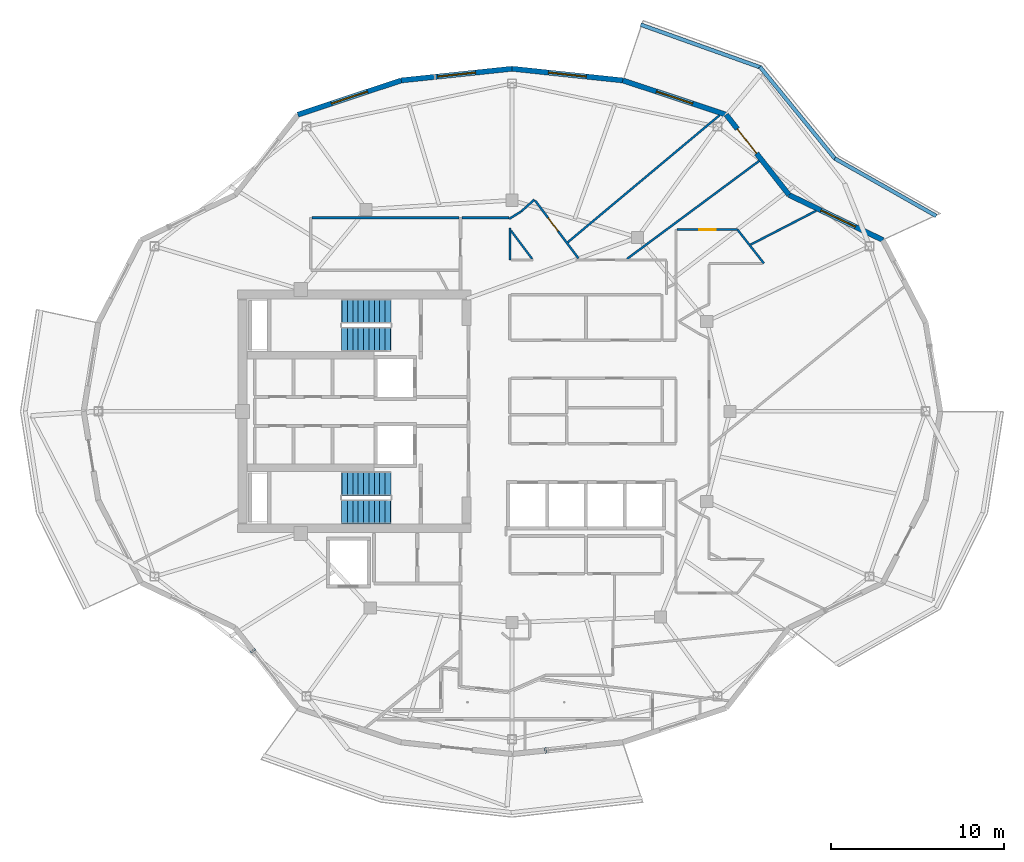
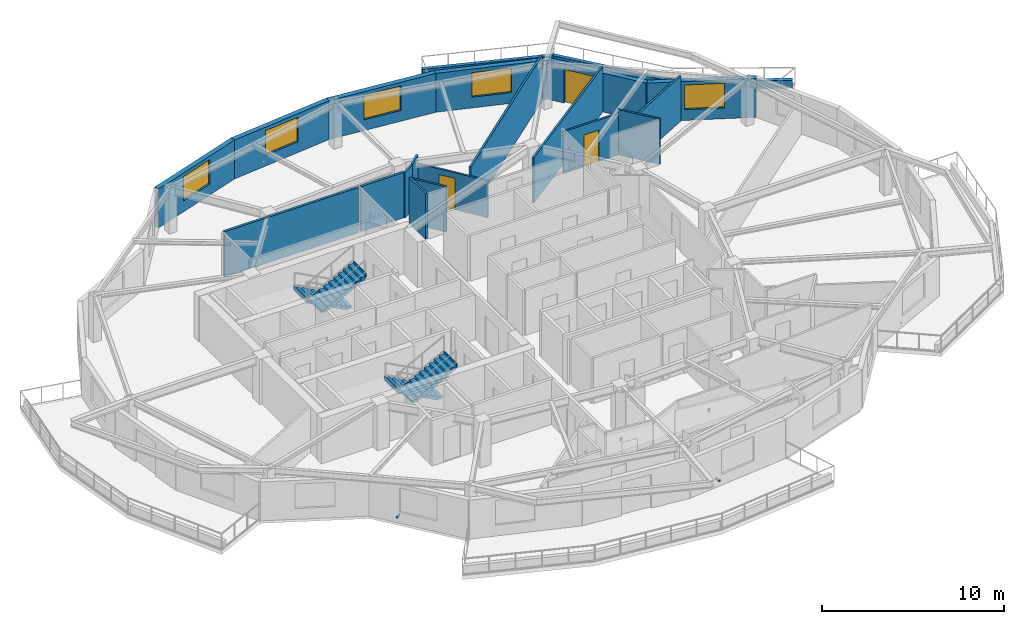
# One storey, part 7 of 14: 21 walls, 5 windows, 4 stair flights, 3 doors, 2 discrete accessories, 8 openings, 2 elements without a shape of their own.
"""IFC4 building model written with IfcOpenShell, lengths in metres."""

from ifc_helpers import new_model, si_unit, direction, frame, frame_2d, origin, origin_2d, place, context, subcontext, project, spatial, polyline, rectangle, outline, extrude, material, layer, layer_set, type_object, element, fill, aggregate, save


model = new_model("IFC4")

# Units and contexts
model_context = context("Model", 3, precision=1e-05, world=origin(), true_north=direction((0.0, 1.0)))
body_context = subcontext(model_context, "Body", "Model", "MODEL_VIEW")
ifc_project = project(units=[si_unit("LENGTHUNIT", "METRE"), si_unit("AREAUNIT", "SQUARE_METRE"), si_unit("VOLUMEUNIT", "CUBIC_METRE"), si_unit("PLANEANGLEUNIT", "RADIAN"), si_unit("MASSUNIT", "GRAM", prefix="KILO")], contexts=[model_context])

# Site, building, storey
site_placement = place(None, origin())
site = spatial("IfcSite", under=ifc_project, at=site_placement, CompositionType="ELEMENT")
building_placement = place(site_placement, origin())
building = spatial("IfcBuilding", under=site, at=building_placement, Name="Kolvaren Gate Tower and Convention Centre", CompositionType="ELEMENT")
storey_placement = place(building_placement, frame((0.0, 0.0, 216.199951171875)))
storey = spatial("IfcBuildingStorey", under=building, at=storey_placement, Name="L57", CompositionType="ELEMENT", Elevation=216.199951171875)

# Walls
ifc_material_1 = material(Name="Fire-Rated Acoustic Gypsum Stud Partition", Category="gypsum")
ifc_layer_1 = layer(ifc_material_1, 0.1201171875)
ifc_layer_set_1 = layer_set([ifc_layer_1], Name="Fire-Rated Acoustic Gypsum Stud Partition")
wall_type_1 = type_object("IfcWallType", Name="ARCH-WL-PART-120", PredefinedType="PARTITIONING", material=ifc_layer_set_1)
wall_1_placement = place(storey_placement, frame((30.0, 35.75, 0.0), z_axis=(0.0, 0.0, 1.0), x_axis=(0.0, 1.0, 0.0)))
element("IfcWall", 1, at=wall_1_placement, inside=storey, type_object=wall_type_1, Name="Interior Partition WL-L57-INT-020", PredefinedType="PARTITIONING", context=body_context, shape_type="SweptSolid", body=[
    extrude(rectangle(XDim=1.8369140625, YDim=0.1201171875, at=frame_2d((0.91845703125, 0.0))), origin(), (0.0, 0.0, 1.0), 3.030029296875),
])
wall_2_placement = place(storey_placement, frame((29.9599609375, 38.123046875, 0.0), z_axis=(0.0, 0.0, 1.0), x_axis=(0.852506956574, 0.522715877885, 0.0)))
element("IfcWall", 2, at=wall_2_placement, inside=storey, type_object=wall_type_1, Name="Interior Partition WL-L57-INT-037", PredefinedType="PARTITIONING", context=body_context, shape_type="SweptSolid", body=[
    extrude(rectangle(XDim=0.81884765625, YDim=0.1201171875, at=frame_2d((0.409423828125, 0.0))), origin(), (0.0, 0.0, 1.0), 3.030029296875),
])
wall_3_placement = place(storey_placement, frame((30.657958984375, 38.551025390625, 0.0), z_axis=(0.0, 0.0, 1.0), x_axis=(0.74084279818, 0.671678456097, 0.0)))
element("IfcWall", 3, at=wall_3_placement, inside=storey, type_object=wall_type_1, Name="Interior Partition WL-L57-INT-038", PredefinedType="PARTITIONING", context=body_context, shape_type="SweptSolid", body=[
    extrude(rectangle(XDim=1.027099609375, YDim=0.1201171875, at=frame_2d((0.513671875, 0.0))), origin(), (0.0, 0.0, 1.0), 3.030029296875),
])

# Wall, opening, door
wall_4_placement = place(storey_placement, frame((31.456298828125, 39.191162109375, 0.0), z_axis=(0.0, 0.0, 1.0), x_axis=(0.600056078533, -0.799957938029, 0.0)))
wall_4 = element("IfcWall", 4, at=wall_4_placement, inside=storey, type_object=wall_type_1, Name="Interior Partition WL-L57-INT-039", PredefinedType="PARTITIONING", context=body_context, shape_type="SweptSolid", body=[
    extrude(rectangle(XDim=4.17919921875, YDim=0.1201171875, at=frame_2d((2.089599609375, 0.0))), origin(), (0.0, 0.0, 1.0), 2.47802734375),
])
opening_1_placement = place(wall_4_placement, frame((1.266845703125, 0.0, 0.0)))
opening_1 = element("IfcOpeningElement", 5, at=opening_1_placement, cuts=wall_4, Name="Opening DR-01", PredefinedType="OPENING", context=body_context, shape_type="SweptSolid", body=[
    extrude(rectangle(XDim=0.949951171875, YDim=2.10009765625, at=frame_2d((0.47509765625, 1.050048828125))), frame((0.0, 0.070068359375, 0.0), z_axis=(0.0, -1.0, 0.0), x_axis=(1.0, 0.0, 0.0)), (0.0, 0.0, 1.0), 0.14013671875),
])
ifc_material_2 = material(Name="Painted Architectural Steelwork ASTM A500 Grade C 345 MPa", Category="steel")
door_type_1 = type_object("IfcDoorType", Name="ARCH-DR-RISER-950", OperationType="SINGLE_SWING_RIGHT", PredefinedType="DOOR", material=ifc_material_2)
door_1_placement = place(opening_1_placement, origin())
door_1 = element("IfcDoor", 6, at=door_1_placement, inside=storey, type_object=door_type_1, Name="Resident Private Study and Home Office Door", OperationType="SINGLE_SWING_LEFT", OverallHeight=2.10009765625, OverallWidth=0.949951171875, PredefinedType="DOOR", context=body_context, shape_type="SweptSolid", body=[
    extrude(rectangle(XDim=0.949951171875, YDim=2.10009765625, at=frame_2d((0.47509765625, 1.050048828125))), frame((0.0, 0.02490234375, 0.0), z_axis=(0.0, -1.0, 0.0), x_axis=(1.0, 0.0, 0.0)), (0.0, 0.0, 1.0), 0.050048828125),
])
fill(opening_1, door_1)

wall_5_placement = place(storey_placement, frame((39.662109375, 37.5, 0.0), z_axis=(0.0, 0.0, 1.0), x_axis=(1.0, 0.0, 0.0)))
wall_5 = element("IfcWall", 7, at=wall_5_placement, inside=storey, type_object=wall_type_1, Name="Interior Partition WL-L57-INT-046", PredefinedType="PARTITIONING", context=body_context, shape_type="SweptSolid", body=[
    extrude(rectangle(XDim=3.494873046875, YDim=0.1201171875, at=frame_2d((1.74755859375, 0.0))), origin(), (0.0, 0.0, 1.0), 2.77001953125),
])
opening_2_placement = place(wall_5_placement, frame((1.2724609375, 0.0, 0.0)))
opening_2 = element("IfcOpeningElement", 8, at=opening_2_placement, cuts=wall_5, Name="Opening DR-01", PredefinedType="OPENING", context=body_context, shape_type="SweptSolid", body=[
    extrude(rectangle(XDim=0.949951171875, YDim=2.10009765625, at=frame_2d((0.47509765625, 1.050048828125))), frame((0.0, 0.070068359375, 0.0), z_axis=(0.0, -1.0, 0.0), x_axis=(1.0, 0.0, 0.0)), (0.0, 0.0, 1.0), 0.14013671875),
])
door_2_placement = place(opening_2_placement, origin())
door_2 = element("IfcDoor", 9, at=door_2_placement, inside=storey, type_object=door_type_1, Name="Resident Private Study Door", OperationType="SINGLE_SWING_LEFT", OverallHeight=2.10009765625, OverallWidth=0.949951171875, PredefinedType="DOOR", context=body_context, shape_type="SweptSolid", body=[
    extrude(rectangle(XDim=0.949951171875, YDim=2.10009765625, at=frame_2d((0.47509765625, 1.050048828125))), frame((0.0, 0.02490234375, 0.0), z_axis=(0.0, -1.0, 0.0), x_axis=(1.0, 0.0, 0.0)), (0.0, 0.0, 1.0), 0.050048828125),
])
fill(opening_2, door_2)

# Walls
wall_6_placement = place(storey_placement, frame((43.156982421875, 37.5, 0.0), z_axis=(0.0, 0.0, 1.0), x_axis=(0.616571357052, -0.78729902938, 0.0)))
element("IfcWall", 10, at=wall_6_placement, inside=storey, type_object=wall_type_1, Name="Interior Partition WL-L57-INT-047", PredefinedType="PARTITIONING", context=body_context, shape_type="SweptSolid", body=[
    extrude(rectangle(XDim=2.476806640625, YDim=0.1201171875, at=frame_2d((1.23828125, 0.0))), origin(), (0.0, 0.0, 1.0), 3.030029296875),
])
wall_7_placement = place(storey_placement, frame((30.06201171875, 37.450927734375, 0.0), z_axis=(0.0, 0.0, 1.0), x_axis=(0.599790195836, -0.800157310145, 0.0)))
element("IfcWall", 11, at=wall_7_placement, inside=storey, type_object=wall_type_1, Name="Interior Partition WL-L57-INT-070", PredefinedType="PARTITIONING", context=body_context, shape_type="SweptSolid", body=[
    extrude(rectangle(XDim=2.04833984375, YDim=0.1201171875, at=frame_2d((1.024169921875, 0.0))), origin(), (0.0, 0.0, 1.0), 3.030029296875),
])
wall_8_placement = place(storey_placement, frame((43.9130859375, 36.635009765625, 0.0), z_axis=(0.0, 0.0, 1.0), x_axis=(0.888547502497, 0.458784629, 0.0)))
element("IfcWall", 12, at=wall_8_placement, inside=storey, type_object=wall_type_1, Name="Interior Partition WL-L57-INT-077", PredefinedType="PARTITIONING", context=body_context, shape_type="SweptSolid", body=[
    extrude(rectangle(XDim=4.256591796875, YDim=0.1201171875, at=frame_2d((2.12841796875, 0.0))), origin(), (0.0, 0.0, 1.0), 3.030029296875),
])
wall_9_placement = place(storey_placement, frame((36.7705078125, 35.81201171875, 0.0), z_axis=(0.0, 0.0, 1.0), x_axis=(0.803336358715, 0.595525561807, 0.0)))
element("IfcWall", 13, at=wall_9_placement, inside=storey, type_object=wall_type_1, Name="Interior Partition WL-L57-INT-092", PredefinedType="PARTITIONING", context=body_context, shape_type="SweptSolid", body=[
    extrude(rectangle(XDim=9.500732421875, YDim=0.1201171875, at=frame_2d((4.75048828125, 0.0))), origin(), (0.0, 0.0, 1.0), 3.030029296875),
])
wall_10_placement = place(storey_placement, frame((33.34814453125, 36.7724609375, 0.0), z_axis=(0.0, 0.0, 1.0), x_axis=(0.766923298506, 0.641738774119, 0.0)))
element("IfcWall", 14, at=wall_10_placement, inside=storey, type_object=wall_type_1, Name="Interior Partition WL-L57-INT-093", PredefinedType="PARTITIONING", context=body_context, shape_type="SweptSolid", body=[
    extrude(rectangle(XDim=11.438232421875, YDim=0.1201171875, at=frame_2d((5.71923828125, 0.0))), origin(), (0.0, 0.0, 1.0), 3.030029296875),
])
ifc_material_3 = material(Name="Piedmont Cream Honed Limestone Cladding", Category="masonry")
ifc_layer_2 = layer(ifc_material_3, 0.219970703125)
ifc_layer_set_2 = layer_set([ifc_layer_2], Name="Piedmont Cream Honed Limestone Cladding")
wall_type_2 = type_object("IfcWallType", Name="ARCH-WL-PLANTER-220", PredefinedType="PARAPET", material=ifc_layer_set_2)
wall_11_placement = place(storey_placement, frame((48.7763671875, 41.61669921875, 0.0), z_axis=(0.0, 0.0, 1.0), x_axis=(0.869860619267, -0.493297580623, 0.0)))
element("IfcWall", 15, at=wall_11_placement, inside=storey, type_object=wall_type_2, Name="Vertical-Forest Balcony Stone Planter Kerb PK-L57-1.1", PredefinedType="PARAPET", context=body_context, shape_type="SweptSolid", body=[
    extrude(rectangle(XDim=6.74267578125, YDim=0.219970703125, at=frame_2d((3.371337890625, 0.0))), origin(), (0.0, 0.0, 1.0), 0.52001953125),
])
wall_12_placement = place(storey_placement, frame((44.4482421875, 46.912841796875, 0.0), z_axis=(0.0, 0.0, 1.0), x_axis=(0.632697312147, -0.774399193699, 0.0)))
element("IfcWall", 16, at=wall_12_placement, inside=storey, type_object=wall_type_2, Name="Vertical-Forest Balcony Stone Planter Kerb PK-L57-1.2", PredefinedType="PARAPET", context=body_context, shape_type="SweptSolid", body=[
    extrude(rectangle(XDim=6.9140625, YDim=0.219970703125, at=frame_2d((3.45703125, 0.0))), origin(), (0.0, 0.0, 1.0), 0.52001953125),
])
wall_13_placement = place(storey_placement, frame((37.564697265625, 49.34716796875, 0.0), z_axis=(0.0, 0.0, 1.0), x_axis=(0.941780086523, -0.336229488042, 0.0)))
element("IfcWall", 17, at=wall_13_placement, inside=storey, type_object=wall_type_2, Name="Vertical-Forest Balcony Stone Planter Kerb PK-L57-1.3", PredefinedType="PARAPET", context=body_context, shape_type="SweptSolid", body=[
    extrude(rectangle(XDim=7.3779296875, YDim=0.219970703125, at=frame_2d((3.68896484375, 0.0))), origin(), (0.0, 0.0, 1.0), 0.52001953125),
])

# Wall, opening, window
ifc_layer_3 = layer(ifc_material_3, 0.300048828125)
ifc_layer_set_3 = layer_set([ifc_layer_3], Name="Piedmont Cream Honed Limestone Cladding")
wall_type_3 = type_object("IfcWallType", Name="ARCH-WL-STONE-300", PredefinedType="SOLIDWALL", material=ifc_layer_set_3)
wall_14_placement = place(storey_placement, frame((46.132568359375, 39.50732421875, 0.0), z_axis=(0.0, 0.0, 1.0), x_axis=(0.901348331142, -0.433094892545, 0.0)))
wall_14 = element("IfcWall", 18, at=wall_14_placement, inside=storey, type_object=wall_type_3, Name="Tower L57 Honed Stone Spandrel Wall EW-02", PredefinedType="SOLIDWALL", context=body_context, shape_type="SweptSolid", body=[
    extrude(rectangle(XDim=6.0205078125, YDim=0.300048828125, at=frame_2d((3.01025390625, 0.0))), origin(), (0.0, 0.0, 1.0), 2.60498046875),
])
opening_3_placement = place(wall_14_placement, frame((2.050048828125, 0.0, 0.719970703125)))
opening_3 = element("IfcOpeningElement", 19, at=opening_3_placement, cuts=wall_14, Name="Opening W-03", PredefinedType="OPENING", context=body_context, shape_type="SweptSolid", body=[
    extrude(rectangle(XDim=2.199951171875, YDim=1.64990234375, at=frame_2d((1.10009765625, 0.824951171875))), frame((0.0, 0.159912109375, 0.0), z_axis=(0.0, -1.0, 0.0), x_axis=(1.0, 0.0, 0.0)), (0.0, 0.0, 1.0), 0.320068359375),
])
ifc_material_4 = material(Name="Low-E Triple Insulated Glazing Unit 44 mm", Category="glass")
window_type = type_object("IfcWindowType", Name="ARCH-WN-RES-2200", PartitioningType="SINGLE_PANEL", PredefinedType="WINDOW", material=ifc_material_4)
window_1_placement = place(opening_3_placement, origin())
window_1 = element("IfcWindow", 20, at=window_1_placement, inside=storey, type_object=window_type, Name="Tower L57 Punched Stone Facade Window W-02", OverallHeight=1.64990234375, OverallWidth=2.199951171875, PartitioningType="SINGLE_PANEL", PredefinedType="WINDOW", context=body_context, shape_type="SweptSolid", body=[
    extrude(rectangle(XDim=2.199951171875, YDim=1.64990234375, at=frame_2d((1.10009765625, 0.824951171875))), frame((0.0, 0.030029296875, 0.0), z_axis=(0.0, -1.0, 0.0), x_axis=(1.0, 0.0, 0.0)), (0.0, 0.0, 1.0), 0.06005859375),
])
fill(opening_3, window_1)

# Wall, opening, door
wall_15_placement = place(storey_placement, frame((42.5, 44.147216796875, 0.0), z_axis=(0.0, 0.0, 1.0), x_axis=(0.616450126935, -0.787393955401, 0.0)))
wall_15 = element("IfcWall", 21, at=wall_15_placement, inside=storey, type_object=wall_type_3, Name="Tower L57 Honed Stone Spandrel Wall EW-03", PredefinedType="SOLIDWALL", context=body_context, shape_type="SweptSolid", body=[
    extrude(rectangle(XDim=5.892822265625, YDim=0.300048828125, at=frame_2d((2.9462890625, 0.0))), origin(), (0.0, 0.0, 1.0), 2.60498046875),
])
opening_4_placement = place(wall_15_placement, frame((1.050048828125, 0.0, 0.0)))
opening_4 = element("IfcOpeningElement", 22, at=opening_4_placement, cuts=wall_15, Name="Opening DB-01", PredefinedType="OPENING", context=body_context, shape_type="SweptSolid", body=[
    extrude(rectangle(XDim=1.800048828125, YDim=2.25, at=frame_2d((0.89990234375, 1.125))), frame((0.0, 0.159912109375, 0.0), z_axis=(0.0, -1.0, 0.0), x_axis=(1.0, 0.0, 0.0)), (0.0, 0.0, 1.0), 0.320068359375),
])
ifc_material_5 = material(Name="Anodized Architectural Aluminium Alloy 6063-T6", Category="aluminium")
door_type_2 = type_object("IfcDoorType", Name="ARCH-DR-BALC-1800", OperationType="SLIDING_TO_LEFT", PredefinedType="DOOR", material=ifc_material_5)
door_3_placement = place(opening_4_placement, origin())
door_3 = element("IfcDoor", 23, at=door_3_placement, inside=storey, type_object=door_type_2, Name="Planted Sky Terrace Access Door DB-L57-03", OperationType="SLIDING_TO_LEFT", OverallHeight=2.25, OverallWidth=1.800048828125, PredefinedType="DOOR", context=body_context, shape_type="SweptSolid", body=[
    extrude(rectangle(XDim=1.800048828125, YDim=2.25, at=frame_2d((0.89990234375, 1.125))), frame((0.0, 0.02490234375, 0.0), z_axis=(0.0, -1.0, 0.0), x_axis=(1.0, 0.0, 0.0)), (0.0, 0.0, 1.0), 0.050048828125),
])
fill(opening_4, door_3)

# Wall, opening, window
wall_16_placement = place(storey_placement, frame((36.53076171875, 46.125244140625, 0.0), z_axis=(0.0, 0.0, 1.0), x_axis=(0.949240877604, -0.314550085495, 0.0)))
wall_16 = element("IfcWall", 24, at=wall_16_placement, inside=storey, type_object=wall_type_3, Name="Tower L57 Honed Stone Spandrel Wall EW-04", PredefinedType="SOLIDWALL", context=body_context, shape_type="SweptSolid", body=[
    extrude(rectangle(XDim=6.288330078125, YDim=0.300048828125, at=frame_2d((3.14404296875, 0.0))), origin(), (0.0, 0.0, 1.0), 2.60498046875),
])
opening_5_placement = place(wall_16_placement, frame((2.0439453125, 0.0, 0.719970703125)))
opening_5 = element("IfcOpeningElement", 25, at=opening_5_placement, cuts=wall_16, Name="Opening W-03", PredefinedType="OPENING", context=body_context, shape_type="SweptSolid", body=[
    extrude(rectangle(XDim=2.199951171875, YDim=1.64990234375, at=frame_2d((1.10009765625, 0.824951171875))), frame((0.0, 0.159912109375, 0.0), z_axis=(0.0, -1.0, 0.0), x_axis=(1.0, 0.0, 0.0)), (0.0, 0.0, 1.0), 0.320068359375),
])
window_2_placement = place(opening_5_placement, origin())
window_2 = element("IfcWindow", 26, at=window_2_placement, inside=storey, type_object=window_type, Name="Tower L57 Punched Stone Facade Window W-04", OverallHeight=1.64990234375, OverallWidth=2.199951171875, PartitioningType="SINGLE_PANEL", PredefinedType="WINDOW", context=body_context, shape_type="SweptSolid", body=[
    extrude(rectangle(XDim=2.199951171875, YDim=1.64990234375, at=frame_2d((1.10009765625, 0.824951171875))), frame((0.0, 0.030029296875, 0.0), z_axis=(0.0, -1.0, 0.0), x_axis=(1.0, 0.0, 0.0)), (0.0, 0.0, 1.0), 0.06005859375),
])
fill(opening_5, window_2)

wall_17_placement = place(storey_placement, frame((30.125, 46.800048828125, 0.0), z_axis=(0.0, 0.0, 1.0), x_axis=(0.994497142298, -0.104763705363, 0.0)))
wall_17 = element("IfcWall", 27, at=wall_17_placement, inside=storey, type_object=wall_type_3, Name="Tower L57 Honed Stone Spandrel Wall EW-05", PredefinedType="SOLIDWALL", context=body_context, shape_type="SweptSolid", body=[
    extrude(rectangle(XDim=6.441162109375, YDim=0.300048828125, at=frame_2d((3.220703125, 0.0))), origin(), (0.0, 0.0, 1.0), 2.60498046875),
])
opening_6_placement = place(wall_17_placement, frame((2.12109375, 0.0, 0.719970703125)))
opening_6 = element("IfcOpeningElement", 28, at=opening_6_placement, cuts=wall_17, Name="Opening W-03", PredefinedType="OPENING", context=body_context, shape_type="SweptSolid", body=[
    extrude(rectangle(XDim=2.199951171875, YDim=1.64990234375, at=frame_2d((1.10009765625, 0.824951171875))), frame((0.0, 0.159912109375, 0.0), z_axis=(0.0, -1.0, 0.0), x_axis=(1.0, 0.0, 0.0)), (0.0, 0.0, 1.0), 0.320068359375),
])
window_3_placement = place(opening_6_placement, origin())
window_3 = element("IfcWindow", 29, at=window_3_placement, inside=storey, type_object=window_type, Name="Tower L57 Punched Stone Facade Window W-05", OverallHeight=1.64990234375, OverallWidth=2.199951171875, PartitioningType="SINGLE_PANEL", PredefinedType="WINDOW", context=body_context, shape_type="SweptSolid", body=[
    extrude(rectangle(XDim=2.199951171875, YDim=1.64990234375, at=frame_2d((1.10009765625, 0.824951171875))), frame((0.0, 0.030029296875, 0.0), z_axis=(0.0, -1.0, 0.0), x_axis=(1.0, 0.0, 0.0)), (0.0, 0.0, 1.0), 0.06005859375),
])
fill(opening_6, window_3)

wall_18_placement = place(storey_placement, frame((23.71923828125, 46.125244140625, 0.0), z_axis=(0.0, 0.0, 1.0), x_axis=(0.994497142298, 0.104763705363, 0.0)))
wall_18 = element("IfcWall", 30, at=wall_18_placement, inside=storey, type_object=wall_type_3, Name="Tower L57 Honed Stone Spandrel Wall EW-06", PredefinedType="SOLIDWALL", context=body_context, shape_type="SweptSolid", body=[
    extrude(rectangle(XDim=6.441162109375, YDim=0.300048828125, at=frame_2d((3.220703125, 0.0))), origin(), (0.0, 0.0, 1.0), 2.60498046875),
])
opening_7_placement = place(wall_18_placement, frame((2.12109375, 0.0, 0.719970703125)))
opening_7 = element("IfcOpeningElement", 31, at=opening_7_placement, cuts=wall_18, Name="Opening W-03", PredefinedType="OPENING", context=body_context, shape_type="SweptSolid", body=[
    extrude(rectangle(XDim=2.199951171875, YDim=1.64990234375, at=frame_2d((1.10009765625, 0.824951171875))), frame((0.0, 0.159912109375, 0.0), z_axis=(0.0, -1.0, 0.0), x_axis=(1.0, 0.0, 0.0)), (0.0, 0.0, 1.0), 0.320068359375),
])
window_4_placement = place(opening_7_placement, origin())
window_4 = element("IfcWindow", 32, at=window_4_placement, inside=storey, type_object=window_type, Name="Tower L57 Punched Stone Facade Window W-06", OverallHeight=1.64990234375, OverallWidth=2.199951171875, PartitioningType="SINGLE_PANEL", PredefinedType="WINDOW", context=body_context, shape_type="SweptSolid", body=[
    extrude(rectangle(XDim=2.199951171875, YDim=1.64990234375, at=frame_2d((1.10009765625, 0.824951171875))), frame((0.0, 0.030029296875, 0.0), z_axis=(0.0, -1.0, 0.0), x_axis=(1.0, 0.0, 0.0)), (0.0, 0.0, 1.0), 0.06005859375),
])
fill(opening_7, window_4)

wall_19_placement = place(storey_placement, frame((17.75, 44.147216796875, 0.0), z_axis=(0.0, 0.0, 1.0), x_axis=(0.949240877604, 0.314550085495, 0.0)))
wall_19 = element("IfcWall", 33, at=wall_19_placement, inside=storey, type_object=wall_type_3, Name="Tower L57 Honed Stone Spandrel Wall EW-07", PredefinedType="SOLIDWALL", context=body_context, shape_type="SweptSolid", body=[
    extrude(rectangle(XDim=6.288330078125, YDim=0.300048828125, at=frame_2d((3.14404296875, 0.0))), origin(), (0.0, 0.0, 1.0), 2.60498046875),
])
opening_8_placement = place(wall_19_placement, frame((2.0439453125, 0.0, 0.719970703125)))
opening_8 = element("IfcOpeningElement", 34, at=opening_8_placement, cuts=wall_19, Name="Opening W-03", PredefinedType="OPENING", context=body_context, shape_type="SweptSolid", body=[
    extrude(rectangle(XDim=2.199951171875, YDim=1.64990234375, at=frame_2d((1.10009765625, 0.824951171875))), frame((0.0, 0.159912109375, 0.0), z_axis=(0.0, -1.0, 0.0), x_axis=(1.0, 0.0, 0.0)), (0.0, 0.0, 1.0), 0.320068359375),
])
window_5_placement = place(opening_8_placement, origin())
window_5 = element("IfcWindow", 35, at=window_5_placement, inside=storey, type_object=window_type, Name="Tower L57 Punched Stone Facade Window W-07", OverallHeight=1.64990234375, OverallWidth=2.199951171875, PartitioningType="SINGLE_PANEL", PredefinedType="WINDOW", context=body_context, shape_type="SweptSolid", body=[
    extrude(rectangle(XDim=2.199951171875, YDim=1.64990234375, at=frame_2d((1.10009765625, 0.824951171875))), frame((0.0, 0.030029296875, 0.0), z_axis=(0.0, -1.0, 0.0), x_axis=(1.0, 0.0, 0.0)), (0.0, 0.0, 1.0), 0.06005859375),
])
fill(opening_8, window_5)

# Walls
ifc_material_6 = material(Name="Moisture-Resistant Cement-Board Acoustic Partition", Category="gypsum")
ifc_layer_4 = layer(ifc_material_6, 0.14990234375)
ifc_layer_set_4 = layer_set([ifc_layer_4], Name="Moisture-Resistant Cement-Board Acoustic Partition")
wall_type_4 = type_object("IfcWallType", Name="ARCH-WL-WET-150", PredefinedType="PARTITIONING", material=ifc_layer_set_4)
wall_20_placement = place(storey_placement, frame((18.576904296875, 38.199951171875, 0.0), z_axis=(0.0, 0.0, 1.0), x_axis=(1.0, 0.0, 0.0)))
element("IfcWall", 36, at=wall_20_placement, inside=storey, type_object=wall_type_4, Name="Interior Partition WL-L57-INT-036", PredefinedType="PARTITIONING", context=body_context, shape_type="SweptSolid", body=[
    extrude(rectangle(XDim=8.49609375, YDim=0.14990234375, at=frame_2d((4.248046875, 0.0))), origin(), (0.0, 0.0, 1.0), 3.030029296875),
])
wall_21_placement = place(storey_placement, frame((27.22705078125, 38.199951171875, 0.0), z_axis=(0.0, 0.0, 1.0), x_axis=(1.0, 0.0, 0.0)))
element("IfcWall", 37, at=wall_21_placement, inside=storey, type_object=wall_type_4, Name="Interior Partition WL-L57-INT-036 (2)", PredefinedType="PARTITIONING", context=body_context, shape_type="SweptSolid", body=[
    extrude(rectangle(XDim=2.73291015625, YDim=0.14990234375, at=frame_2d((1.366455078125, 0.0))), origin(), (0.0, 0.0, 1.0), 3.030029296875),
])

# Stair, stair flights
ifc_material_7 = material(Name="Concrete C50/60", Category="concrete")
stair_type = type_object("IfcStairType", Name="STR-STAIR-CORE", PredefinedType="HALF_TURN_STAIR", material=ifc_material_7)
stair_1_placement = place(storey_placement, origin())
stair_1 = element("IfcStair", 38, at=stair_1_placement, inside=storey, type_object=stair_type, Name="L57 Tower North Exit Stair ST-T1", PredefinedType="HALF_TURN_STAIR")
stair_flight_type = type_object("IfcStairFlightType", Name="STR-SFL-1420", PredefinedType="STRAIGHT", material=ifc_material_7)
stair_flight_1_placement = place(storey_placement, frame((23.10009765625, 32.7900390625, 0.0), z_axis=(0.0, 0.0, 1.0), x_axis=(-1.0, 0.0, 0.0)))
stair_flight_1 = element("IfcStairFlight", 39, at=stair_flight_1_placement, type_object=stair_flight_type, Name="ST-T1 flight 1", NumberOfRisers=10, NumberOfTreads=9, PredefinedType="STRAIGHT", RiserHeight=0.165, TreadLength=0.31, context=body_context, shape_type="SweptSolid", body=[
    extrude(outline(polyline([(-0.034912109375, 0.0), (-0.034912109375, 0.1650390625), (0.31005859375, 0.1650390625), (0.31005859375, 0.330078125), (0.6201171875, 0.330078125), (0.6201171875, 0.4951171875), (0.929931640625, 0.4951171875), (0.929931640625, 0.659912109375), (1.239990234375, 0.659912109375), (1.239990234375, 0.824951171875), (1.550048828125, 0.824951171875), (1.550048828125, 0.989990234375), (1.860107421875, 0.989990234375), (1.860107421875, 1.155029296875), (2.169921875, 1.155029296875), (2.169921875, 1.320068359375), (2.47998046875, 1.320068359375), (2.47998046875, 1.485107421875), (2.7900390625, 1.485107421875), (2.7900390625, 1.64990234375), (2.8349609375, 1.64990234375), (2.8349609375, 1.489990234375), (2.7900390625, 1.315185546875), (0.319091796875, 0.0), (-0.034912109375, 0.0)])), frame((0.0, 0.7099609375, 0.0), z_axis=(0.0, -1.0, 0.0), x_axis=(1.0, 0.0, 0.0)), (0.0, 0.0, 1.0), 1.419921875),
])
stair_flight_2_placement = place(storey_placement, frame((20.31005859375, 31.169921875, 1.650146484375), z_axis=(0.0, 0.0, 1.0), x_axis=(1.0, 0.0, 0.0)))
stair_flight_2 = element("IfcStairFlight", 40, at=stair_flight_2_placement, type_object=stair_flight_type, Name="ST-T1 flight 2", NumberOfRisers=10, NumberOfTreads=9, PredefinedType="STRAIGHT", RiserHeight=0.165, TreadLength=0.31, context=body_context, shape_type="SweptSolid", body=[
    extrude(outline(polyline([(-0.034912109375, 0.0), (-0.034912109375, 0.1650390625), (0.31005859375, 0.1650390625), (0.31005859375, 0.330078125), (0.6201171875, 0.330078125), (0.6201171875, 0.4951171875), (0.929931640625, 0.4951171875), (0.929931640625, 0.659912109375), (1.239990234375, 0.659912109375), (1.239990234375, 0.824951171875), (1.550048828125, 0.824951171875), (1.550048828125, 0.989990234375), (1.860107421875, 0.989990234375), (1.860107421875, 1.155029296875), (2.169921875, 1.155029296875), (2.169921875, 1.320068359375), (2.47998046875, 1.320068359375), (2.47998046875, 1.485107421875), (2.7900390625, 1.485107421875), (2.7900390625, 1.64990234375), (2.8349609375, 1.64990234375), (2.8349609375, 1.489990234375), (2.7900390625, 1.315185546875), (0.319091796875, 0.0), (-0.034912109375, 0.0)])), frame((0.0, 0.7099609375, 0.0), z_axis=(0.0, -1.0, 0.0), x_axis=(1.0, 0.0, 0.0)), (0.0, 0.0, 1.0), 1.419921875),
])
aggregate(stair_1, [stair_flight_1, stair_flight_2])

stair_2_placement = place(storey_placement, origin())
stair_2 = element("IfcStair", 41, at=stair_2_placement, inside=storey, type_object=stair_type, Name="L57 Tower South Exit Stair ST-T2", PredefinedType="HALF_TURN_STAIR")
stair_flight_3_placement = place(storey_placement, frame((23.10009765625, 22.830078125, 0.0), z_axis=(0.0, 0.0, 1.0), x_axis=(-1.0, 0.0, 0.0)))
stair_flight_3 = element("IfcStairFlight", 42, at=stair_flight_3_placement, type_object=stair_flight_type, Name="ST-T2 flight 1", NumberOfRisers=10, NumberOfTreads=9, PredefinedType="STRAIGHT", RiserHeight=0.165, TreadLength=0.31, context=body_context, shape_type="SweptSolid", body=[
    extrude(outline(polyline([(-0.034912109375, 0.0), (-0.034912109375, 0.1650390625), (0.31005859375, 0.1650390625), (0.31005859375, 0.330078125), (0.6201171875, 0.330078125), (0.6201171875, 0.4951171875), (0.929931640625, 0.4951171875), (0.929931640625, 0.659912109375), (1.239990234375, 0.659912109375), (1.239990234375, 0.824951171875), (1.550048828125, 0.824951171875), (1.550048828125, 0.989990234375), (1.860107421875, 0.989990234375), (1.860107421875, 1.155029296875), (2.169921875, 1.155029296875), (2.169921875, 1.320068359375), (2.47998046875, 1.320068359375), (2.47998046875, 1.485107421875), (2.7900390625, 1.485107421875), (2.7900390625, 1.64990234375), (2.8349609375, 1.64990234375), (2.8349609375, 1.489990234375), (2.7900390625, 1.315185546875), (0.319091796875, 0.0), (-0.034912109375, 0.0)])), frame((0.0, 0.7099609375, 0.0), z_axis=(0.0, -1.0, 0.0), x_axis=(1.0, 0.0, 0.0)), (0.0, 0.0, 1.0), 1.419921875),
])
stair_flight_4_placement = place(storey_placement, frame((20.31005859375, 21.2099609375, 1.650146484375), z_axis=(0.0, 0.0, 1.0), x_axis=(1.0, 0.0, 0.0)))
stair_flight_4 = element("IfcStairFlight", 43, at=stair_flight_4_placement, type_object=stair_flight_type, Name="ST-T2 flight 2", NumberOfRisers=10, NumberOfTreads=9, PredefinedType="STRAIGHT", RiserHeight=0.165, TreadLength=0.31, context=body_context, shape_type="SweptSolid", body=[
    extrude(outline(polyline([(-0.034912109375, 0.0), (-0.034912109375, 0.1650390625), (0.31005859375, 0.1650390625), (0.31005859375, 0.330078125), (0.6201171875, 0.330078125), (0.6201171875, 0.4951171875), (0.929931640625, 0.4951171875), (0.929931640625, 0.659912109375), (1.239990234375, 0.659912109375), (1.239990234375, 0.824951171875), (1.550048828125, 0.824951171875), (1.550048828125, 0.989990234375), (1.860107421875, 0.989990234375), (1.860107421875, 1.155029296875), (2.169921875, 1.155029296875), (2.169921875, 1.320068359375), (2.47998046875, 1.320068359375), (2.47998046875, 1.485107421875), (2.7900390625, 1.485107421875), (2.7900390625, 1.64990234375), (2.8349609375, 1.64990234375), (2.8349609375, 1.489990234375), (2.7900390625, 1.315185546875), (0.319091796875, 0.0), (-0.034912109375, 0.0)])), frame((0.0, 0.7099609375, 0.0), z_axis=(0.0, -1.0, 0.0), x_axis=(1.0, 0.0, 0.0)), (0.0, 0.0, 1.0), 1.419921875),
])
aggregate(stair_2, [stair_flight_3, stair_flight_4])

# Discrete accessories
discrete_accessory_type = type_object("IfcDiscreteAccessoryType", Name="ARCH-ACC-BRACKET-120", PredefinedType="BRACKET", material=ifc_material_5)
for number, where, z_axis, x_axis, name in (
    (44, (15.15673828125, 13.1650390625, 0.2900390625), (0.0, 0.0, 1.0), (0.616434119112, -0.787406487651, 0.0), "Ceramic Fin Wall Anchor Bracket FBK-L57-15"),
    (45, (32.0751953125, 7.405517578125, 0.2900390625), (0.0, 0.0, 1.0), (0.994498884311, 0.104747167526, 0.0), "Ceramic Fin Wall Anchor Bracket FBK-L57-18"),
):
    element("IfcDiscreteAccessory", number, at=place(storey_placement, frame(where, z_axis=z_axis, x_axis=x_axis)), inside=storey, type_object=discrete_accessory_type, Name=name, PredefinedType="BRACKET", context=body_context, shape_type="SweptSolid", body=[
        extrude(rectangle(XDim=0.1201171875, YDim=0.320068359375, at=origin_2d()), origin(), (0.0, 0.0, 1.0), 0.1201171875),
    ])

save(model, "model.ifc")
